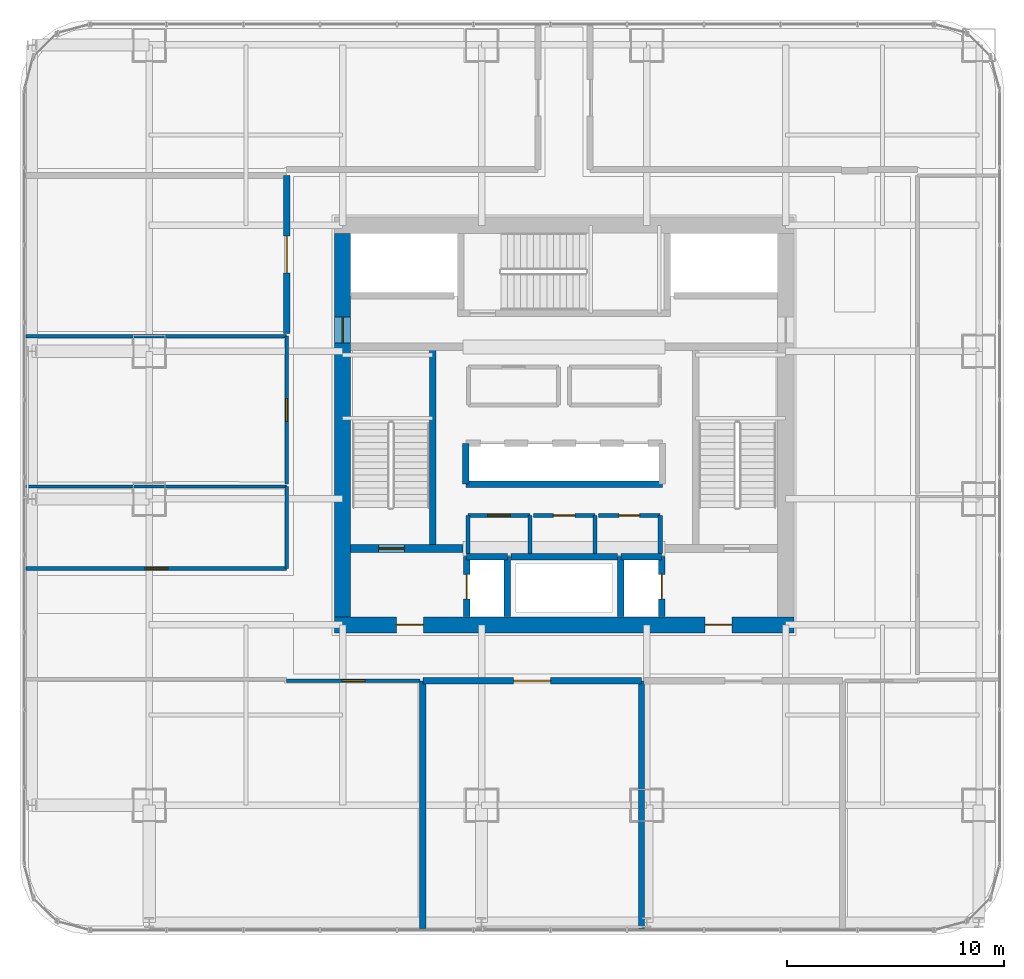
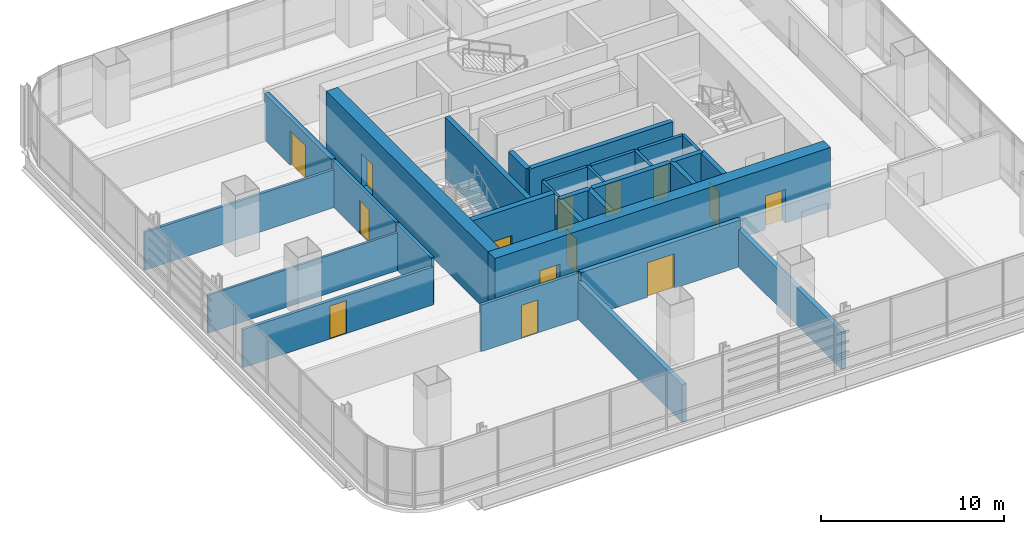
# One storey, part 28 of 36: 30 walls, 14 doors, 14 openings.
"""IFC4 building model written with IfcOpenShell, lengths in metres."""

from ifc_helpers import new_model, si_unit, direction, frame, frame_2d, origin, place, context, subcontext, project, spatial, rectangle, extrude, material, layer, layer_set, type_object, element, fill, save


model = new_model("IFC4")

# Units and contexts
model_context = context("Model", 3, precision=1e-05, world=origin(), true_north=direction((0.0, 1.0)))
body_context = subcontext(model_context, "Body", "Model", "MODEL_VIEW")
ifc_project = project(units=[si_unit("LENGTHUNIT", "METRE"), si_unit("AREAUNIT", "SQUARE_METRE"), si_unit("VOLUMEUNIT", "CUBIC_METRE"), si_unit("PLANEANGLEUNIT", "RADIAN"), si_unit("MASSUNIT", "GRAM", prefix="KILO")], contexts=[model_context])

# Site, building, storey
site_placement = place(None, origin())
site = spatial("IfcSite", under=ifc_project, at=site_placement, CompositionType="ELEMENT")
building_placement = place(site_placement, origin())
building = spatial("IfcBuilding", under=site, at=building_placement, Name="Punatoya Terracotta Tower", CompositionType="ELEMENT")
storey_placement = place(building_placement, frame((0.0, 0.0, 48.449951171875)))
storey = spatial("IfcBuildingStorey", under=building, at=storey_placement, Name="L10", CompositionType="ELEMENT", Elevation=48.449951171875)

# Walls
ifc_material_1 = material(Name="Concrete C40/50", Category="concrete")
ifc_layer_1 = layer(ifc_material_1, 0.280029296875)
ifc_layer_set_1 = layer_set([ifc_layer_1], Name="Concrete C40/50")
wall_type_1 = type_object("IfcWallType", Name="WL-AUD-280", PredefinedType="SOLIDWALL", material=ifc_layer_set_1)
wall_1_placement = place(storey_placement, frame((3.55908203125, -11.77001953125, 0.0), z_axis=(0.0, 0.0, 1.0), x_axis=(0.0, -1.0, 0.0)))
element("IfcWall", 1, at=wall_1_placement, inside=storey, type_object=wall_type_1, Name="L10 Open-Plan Client Dining Salon Partition 16", PredefinedType="SOLIDWALL", context=body_context, shape_type="SweptSolid", body=[
    extrude(rectangle(XDim=11.39990234375, YDim=0.280029296875, at=frame_2d((5.699951171875, 0.0))), origin(), (0.0, 0.0, 1.0), 2.484130859375),
])
wall_2_placement = place(storey_placement, frame((-6.507080078125, -23.169921875, 0.0), z_axis=(0.0, 0.0, 1.0), x_axis=(0.0, 1.0, 0.0)))
element("IfcWall", 2, at=wall_2_placement, inside=storey, type_object=wall_type_1, Name="L10 Open-Plan Client Dining Salon Partition 17", PredefinedType="SOLIDWALL", context=body_context, shape_type="SweptSolid", body=[
    extrude(rectangle(XDim=11.39990234375, YDim=0.280029296875, at=frame_2d((5.699951171875, 0.0))), origin(), (0.0, 0.0, 1.0), 2.524169921875),
])

# Wall, opening, door
wall_3_placement = place(storey_placement, frame((-6.507080078125, -11.77001953125, 0.0), z_axis=(0.0, 0.0, 1.0), x_axis=(1.0, 0.0, 0.0)))
wall_3 = element("IfcWall", 3, at=wall_3_placement, inside=storey, type_object=wall_type_1, Name="L10 Open-Plan Client Dining Salon Partition 18", PredefinedType="SOLIDWALL", context=body_context, shape_type="SweptSolid", body=[
    extrude(rectangle(XDim=10.066162109375, YDim=0.280029296875, at=frame_2d((5.033203125, 0.0))), origin(), (0.0, 0.0, 1.0), 3.10400390625),
])
opening_1_placement = place(wall_3_placement, frame((4.18310546875, 0.0, 0.0)))
opening_1 = element("IfcOpeningElement", 4, at=opening_1_placement, cuts=wall_3, Name="Opening FD-D1", PredefinedType="OPENING", context=body_context, shape_type="SweptSolid", body=[
    extrude(rectangle(XDim=1.699951171875, YDim=2.300048828125, at=frame_2d((0.85009765625, 1.14990234375))), frame((0.0, 0.14990234375, 0.0), z_axis=(0.0, -1.0, 0.0), x_axis=(1.0, 0.0, 0.0)), (0.0, 0.0, 1.0), 0.300048828125),
])
ifc_material_2 = material(Name="Timber Teak Veneer Fire Leaf", Category="wood")
door_type_1 = type_object("IfcDoorType", Name="DR-DIN-1700", OperationType="NOTDEFINED", PredefinedType="DOOR", material=ifc_material_2)
door_1_placement = place(opening_1_placement, origin())
door_1 = element("IfcDoor", 5, at=door_1_placement, inside=storey, type_object=door_type_1, Name="L10 Open-Plan Client Dining Salon Fire Door", OperationType="DOUBLE_DOOR_SINGLE_SWING", OverallHeight=2.300048828125, OverallWidth=1.699951171875, PredefinedType="DOOR", context=body_context, shape_type="SweptSolid", body=[
    extrude(rectangle(XDim=1.699951171875, YDim=2.300048828125, at=frame_2d((0.85009765625, 1.14990234375))), frame((0.0, 0.02490234375, 0.0), z_axis=(0.0, -1.0, 0.0), x_axis=(1.0, 0.0, 0.0)), (0.0, 0.0, 1.0), 0.050048828125),
])
fill(opening_1, door_1)

wall_4_placement = place(storey_placement, frame((-12.77001953125, 11.489990234375, 0.0), z_axis=(0.0, 0.0, 1.0), x_axis=(0.0, -1.0, 0.0)))
wall_4 = element("IfcWall", 6, at=wall_4_placement, inside=storey, type_object=wall_type_1, Name="L10 Terrace Refreshment Lounge Partition 35", PredefinedType="SOLIDWALL", context=body_context, shape_type="SweptSolid", body=[
    extrude(rectangle(XDim=7.27197265625, YDim=0.280029296875, at=frame_2d((3.635986328125, 0.0))), origin(), (0.0, 0.0, 1.0), 3.10400390625),
])
opening_2_placement = place(wall_4_placement, frame((2.785888671875, 0.0, 0.0)))
opening_2 = element("IfcOpeningElement", 7, at=opening_2_placement, cuts=wall_4, Name="Opening FD-D1", PredefinedType="OPENING", context=body_context, shape_type="SweptSolid", body=[
    extrude(rectangle(XDim=1.699951171875, YDim=2.300048828125, at=frame_2d((0.85009765625, 1.14990234375))), frame((0.0, 0.14990234375, 0.0), z_axis=(0.0, -1.0, 0.0), x_axis=(1.0, 0.0, 0.0)), (0.0, 0.0, 1.0), 0.300048828125),
])
door_2_placement = place(opening_2_placement, origin())
door_2 = element("IfcDoor", 8, at=door_2_placement, inside=storey, type_object=door_type_1, Name="L10 Terrace Refreshment Lounge Fire Door", OperationType="DOUBLE_DOOR_SINGLE_SWING", OverallHeight=2.300048828125, OverallWidth=1.699951171875, PredefinedType="DOOR", context=body_context, shape_type="SweptSolid", body=[
    extrude(rectangle(XDim=1.699951171875, YDim=2.300048828125, at=frame_2d((0.85009765625, 1.14990234375))), frame((0.0, 0.02490234375, 0.0), z_axis=(0.0, -1.0, 0.0), x_axis=(1.0, 0.0, 0.0)), (0.0, 0.0, 1.0), 0.050048828125),
])
fill(opening_2, door_2)

# Wall, openings, doors
ifc_material_3 = material(Name="Concrete C60/75", Category="concrete")
ifc_layer_2 = layer(ifc_material_3, 0.75)
ifc_layer_set_2 = layer_set([ifc_layer_2], Name="Concrete C60/75")
wall_type_2 = type_object("IfcWallType", Name="WL-COR-750", PredefinedType="SHEAR", material=ifc_layer_set_2)
wall_5_placement = place(storey_placement, frame((10.574951171875, -9.199951171875, 0.0), z_axis=(0.0, 0.0, 1.0), x_axis=(-1.0, 0.0, 0.0)))
wall_5 = element("IfcWall", 9, at=wall_5_placement, inside=storey, type_object=wall_type_2, Name="L10 Core Shear Wall S", PredefinedType="SHEAR", context=body_context, shape_type="SweptSolid", body=[
    extrude(rectangle(XDim=21.14990234375, YDim=0.75, at=frame_2d((10.574951171875, 0.0))), origin(), (0.0, 0.0, 1.0), 4.050048828125),
])
opening_3_placement = place(wall_5_placement, frame((2.85009765625, 0.0, 0.0)))
opening_3 = element("IfcOpeningElement", 10, at=opening_3_placement, cuts=wall_5, Name="Opening FD-L1", PredefinedType="OPENING", context=body_context, shape_type="SweptSolid", body=[
    extrude(rectangle(XDim=1.25, YDim=2.25, at=frame_2d((0.625, 1.125))), frame((0.0, 0.385009765625, 0.0), z_axis=(0.0, -1.0, 0.0), x_axis=(1.0, 0.0, 0.0)), (0.0, 0.0, 1.0), 0.77001953125),
])
opening_4_placement = place(wall_5_placement, frame((17.050048828125, 0.0, 0.0)))
opening_4 = element("IfcOpeningElement", 11, at=opening_4_placement, cuts=wall_5, Name="Opening FD-L1", PredefinedType="OPENING", context=body_context, shape_type="SweptSolid", body=[
    extrude(rectangle(XDim=1.25, YDim=2.25, at=frame_2d((0.625, 1.125))), frame((0.0, 0.385009765625, 0.0), z_axis=(0.0, -1.0, 0.0), x_axis=(1.0, 0.0, 0.0)), (0.0, 0.0, 1.0), 0.77001953125),
])
ifc_material_4 = material(Name="Galvanised Steel Smokeproof Fire Door", Category="steel")
door_type_2 = type_object("IfcDoorType", Name="DR-FFL-1250", OperationType="NOTDEFINED", PredefinedType="DOOR", material=ifc_material_4)
door_3_placement = place(opening_3_placement, origin())
door_3 = element("IfcDoor", 12, at=door_3_placement, inside=storey, type_object=door_type_2, Name="L10 East Firefighting Lobby Corridor Fire Door", OperationType="SINGLE_SWING_LEFT", OverallHeight=2.25, OverallWidth=1.25, PredefinedType="DOOR", context=body_context, shape_type="SweptSolid", body=[
    extrude(rectangle(XDim=1.25, YDim=2.25, at=frame_2d((0.625, 1.125))), frame((0.0, 0.02490234375, 0.0), z_axis=(0.0, -1.0, 0.0), x_axis=(1.0, 0.0, 0.0)), (0.0, 0.0, 1.0), 0.050048828125),
])
fill(opening_3, door_3)
door_4_placement = place(opening_4_placement, origin())
door_4 = element("IfcDoor", 13, at=door_4_placement, inside=storey, type_object=door_type_2, Name="L10 West Firefighting Lobby Corridor Fire Door", OperationType="SINGLE_SWING_RIGHT", OverallHeight=2.25, OverallWidth=1.25, PredefinedType="DOOR", context=body_context, shape_type="SweptSolid", body=[
    extrude(rectangle(XDim=1.25, YDim=2.25, at=frame_2d((0.625, 1.125))), frame((0.0, 0.02490234375, 0.0), z_axis=(0.0, -1.0, 0.0), x_axis=(1.0, 0.0, 0.0)), (0.0, 0.0, 1.0), 0.050048828125),
])
fill(opening_4, door_4)

# Wall, opening, door
wall_6_placement = place(storey_placement, frame((-10.199951171875, -8.824951171875, 0.0), z_axis=(0.0, 0.0, 1.0), x_axis=(0.0, 1.0, 0.0)))
wall_6 = element("IfcWall", 14, at=wall_6_placement, inside=storey, type_object=wall_type_2, Name="L10 Core Shear Wall W", PredefinedType="SHEAR", context=body_context, shape_type="SweptSolid", body=[
    extrude(rectangle(XDim=17.64990234375, YDim=0.75, at=frame_2d((8.824951171875, 0.0))), origin(), (0.0, 0.0, 1.0), 4.050048828125),
])
opening_5_placement = place(wall_6_placement, frame((12.614990234375, 0.0, 0.0)))
opening_5 = element("IfcOpeningElement", 15, at=opening_5_placement, cuts=wall_6, Name="Opening SD-01", PredefinedType="OPENING", context=body_context, shape_type="SweptSolid", body=[
    extrude(rectangle(XDim=1.179931640625, YDim=2.199951171875, at=frame_2d((0.58984375, 1.10009765625))), frame((0.0, 0.385009765625, 0.0), z_axis=(0.0, -1.0, 0.0), x_axis=(1.0, 0.0, 0.0)), (0.0, 0.0, 1.0), 0.77001953125),
])
ifc_material_5 = material(Name="Galvanised Steel Pressurized Stair Fire Door", Category="steel")
door_type_3 = type_object("IfcDoorType", Name="DR-STR-1180", OperationType="NOTDEFINED", PredefinedType="DOOR", material=ifc_material_5)
door_5_placement = place(opening_5_placement, origin())
door_5 = element("IfcDoor", 16, at=door_5_placement, inside=storey, type_object=door_type_3, Name="L10 Central Lift Lobby West Fire Door", OperationType="SINGLE_SWING_LEFT", OverallHeight=2.199951171875, OverallWidth=1.179931640625, PredefinedType="DOOR", context=body_context, shape_type="SweptSolid", body=[
    extrude(rectangle(XDim=1.179931640625, YDim=2.199951171875, at=frame_2d((0.58984375, 1.10009765625))), frame((0.0, 0.02490234375, 0.0), z_axis=(0.0, -1.0, 0.0), x_axis=(1.0, 0.0, 0.0)), (0.0, 0.0, 1.0), 0.050048828125),
])
fill(opening_5, door_5)

# Wall
ifc_material_6 = material(Name="Gypsum Fireboard + Steel Stud", Category="steel")
ifc_layer_3 = layer(ifc_material_6, 0.179931640625)
ifc_layer_set_3 = layer_set([ifc_layer_3], Name="Gypsum Fireboard + Steel Stud")
wall_type_3 = type_object("IfcWallType", Name="WL-CORR-180", PredefinedType="PARTITIONING", material=ifc_layer_set_3)
wall_7_placement = place(storey_placement, frame((-1.580078125, -5.89990234375, 0.0), z_axis=(0.0, 0.0, 1.0), x_axis=(0.0, 1.0, 0.0)))
element("IfcWall", 17, at=wall_7_placement, inside=storey, type_object=wall_type_3, Name="L10 Core Quiet Wellness Room Partition 01", PredefinedType="PARTITIONING", context=body_context, shape_type="SweptSolid", body=[
    extrude(rectangle(XDim=1.739990234375, YDim=0.179931640625, at=frame_2d((0.8701171875, 0.0))), origin(), (0.0, 0.0, 1.0), 3.81005859375),
])

# Wall, opening, door
wall_8_placement = place(storey_placement, frame((-1.580078125, -4.159912109375, 0.0), z_axis=(0.0, 0.0, 1.0), x_axis=(-1.0, 0.0, 0.0)))
wall_8 = element("IfcWall", 18, at=wall_8_placement, inside=storey, type_object=wall_type_3, Name="L10 Core Quiet Wellness Room Partition 02", PredefinedType="PARTITIONING", context=body_context, shape_type="SweptSolid", body=[
    extrude(rectangle(XDim=2.83984375, YDim=0.179931640625, at=frame_2d((1.419921875, 0.0))), origin(), (0.0, 0.0, 1.0), 3.81005859375),
])
opening_6_placement = place(wall_8_placement, frame((0.89501953125, 0.0, 0.0)))
opening_6 = element("IfcOpeningElement", 19, at=opening_6_placement, cuts=wall_8, Name="Opening OD-01", PredefinedType="OPENING", context=body_context, shape_type="SweptSolid", body=[
    extrude(rectangle(XDim=1.050048828125, YDim=2.199951171875, at=frame_2d((0.52490234375, 1.10009765625))), frame((0.0, 0.099853515625, 0.0), z_axis=(0.0, -1.0, 0.0), x_axis=(1.0, 0.0, 0.0)), (0.0, 0.0, 1.0), 0.199951171875),
])
ifc_material_7 = material(Name="Bengal Teak Solid-Core Leaf")
door_type_4 = type_object("IfcDoorType", Name="DR-OFF-1050", OperationType="NOTDEFINED", PredefinedType="DOOR", material=ifc_material_7)
door_6_placement = place(opening_6_placement, origin())
door_6 = element("IfcDoor", 20, at=door_6_placement, inside=storey, type_object=door_type_4, Name="L10 Quiet Wellness Room Door", OperationType="SINGLE_SWING_LEFT", OverallHeight=2.199951171875, OverallWidth=1.050048828125, PredefinedType="DOOR", context=body_context, shape_type="SweptSolid", body=[
    extrude(rectangle(XDim=1.050048828125, YDim=2.199951171875, at=frame_2d((0.52490234375, 1.10009765625))), frame((0.0, 0.02490234375, 0.0), z_axis=(0.0, -1.0, 0.0), x_axis=(1.0, 0.0, 0.0)), (0.0, 0.0, 1.0), 0.050048828125),
])
fill(opening_6, door_6)

# Wall
wall_9_placement = place(storey_placement, frame((-4.419921875, -4.159912109375, 0.0), z_axis=(0.0, 0.0, 1.0), x_axis=(0.0, -1.0, 0.0)))
element("IfcWall", 21, at=wall_9_placement, inside=storey, type_object=wall_type_3, Name="L10 Core Quiet Wellness Room Partition 03", PredefinedType="PARTITIONING", context=body_context, shape_type="SweptSolid", body=[
    extrude(rectangle(XDim=1.739990234375, YDim=0.179931640625, at=frame_2d((0.8701171875, 0.0))), origin(), (0.0, 0.0, 1.0), 3.81005859375),
])

# Wall, opening, door
wall_10_placement = place(storey_placement, frame((-12.77001953125, -11.77001953125, 0.0), z_axis=(0.0, 0.0, 1.0), x_axis=(1.0, 0.0, 0.0)))
wall_10 = element("IfcWall", 22, at=wall_10_placement, inside=storey, type_object=wall_type_3, Name="L10 Catering Tea Pantry Partition 22", PredefinedType="PARTITIONING", context=body_context, shape_type="SweptSolid", body=[
    extrude(rectangle(XDim=6.14306640625, YDim=0.179931640625, at=frame_2d((3.071533203125, 0.0))), origin(), (0.0, 0.0, 1.0), 3.10400390625),
])
opening_7_placement = place(wall_10_placement, frame((2.54638671875, 0.0, 0.0)))
opening_7 = element("IfcOpeningElement", 23, at=opening_7_placement, cuts=wall_10, Name="Opening OD-01", PredefinedType="OPENING", context=body_context, shape_type="SweptSolid", body=[
    extrude(rectangle(XDim=1.050048828125, YDim=2.199951171875, at=frame_2d((0.52490234375, 1.10009765625))), frame((0.0, 0.099853515625, 0.0), z_axis=(0.0, -1.0, 0.0), x_axis=(1.0, 0.0, 0.0)), (0.0, 0.0, 1.0), 0.199951171875),
])
door_7_placement = place(opening_7_placement, origin())
door_7 = element("IfcDoor", 24, at=door_7_placement, inside=storey, type_object=door_type_4, Name="L10 Catering Tea Pantry Door", OperationType="SINGLE_SWING_RIGHT", OverallHeight=2.199951171875, OverallWidth=1.050048828125, PredefinedType="DOOR", context=body_context, shape_type="SweptSolid", body=[
    extrude(rectangle(XDim=1.050048828125, YDim=2.199951171875, at=frame_2d((0.52490234375, 1.10009765625))), frame((0.0, 0.02490234375, 0.0), z_axis=(0.0, -1.0, 0.0), x_axis=(1.0, 0.0, 0.0)), (0.0, 0.0, 1.0), 0.050048828125),
])
fill(opening_7, door_7)

wall_11_placement = place(storey_placement, frame((-12.77001953125, -6.60009765625, 0.0), z_axis=(0.0, 0.0, 1.0), x_axis=(-1.0, 0.0, 0.0)))
wall_11 = element("IfcWall", 25, at=wall_11_placement, inside=storey, type_object=wall_type_3, Name="L10 Open-Plan Wellness Relaxation Lounge Partition 27", PredefinedType="PARTITIONING", context=body_context, shape_type="SweptSolid", body=[
    extrude(rectangle(XDim=12.0, YDim=0.179931640625, at=frame_2d((6.0, 0.0))), origin(), (0.0, 0.0, 1.0), 2.524169921875),
])
opening_8_placement = place(wall_11_placement, frame((5.47509765625, 0.0, 0.0)))
opening_8 = element("IfcOpeningElement", 26, at=opening_8_placement, cuts=wall_11, Name="Opening OD-01", PredefinedType="OPENING", context=body_context, shape_type="SweptSolid", body=[
    extrude(rectangle(XDim=1.050048828125, YDim=2.199951171875, at=frame_2d((0.52490234375, 1.10009765625))), frame((0.0, 0.099853515625, 0.0), z_axis=(0.0, -1.0, 0.0), x_axis=(1.0, 0.0, 0.0)), (0.0, 0.0, 1.0), 0.199951171875),
])
door_8_placement = place(opening_8_placement, origin())
door_8 = element("IfcDoor", 27, at=door_8_placement, inside=storey, type_object=door_type_4, Name="L10 Open-Plan Wellness Relaxation Lounge Door", OperationType="SINGLE_SWING_LEFT", OverallHeight=2.199951171875, OverallWidth=1.050048828125, PredefinedType="DOOR", context=body_context, shape_type="SweptSolid", body=[
    extrude(rectangle(XDim=1.050048828125, YDim=2.199951171875, at=frame_2d((0.52490234375, 1.10009765625))), frame((0.0, 0.02490234375, 0.0), z_axis=(0.0, -1.0, 0.0), x_axis=(1.0, 0.0, 0.0)), (0.0, 0.0, 1.0), 0.050048828125),
])
fill(opening_8, door_8)

# Wall
wall_12_placement = place(storey_placement, frame((-12.77001953125, -2.83203125, 0.0), z_axis=(0.0, 0.0, 1.0), x_axis=(0.0, -1.0, 0.0)))
element("IfcWall", 28, at=wall_12_placement, inside=storey, type_object=wall_type_3, Name="L10 Open-Plan Wellness Relaxation Lounge Partition 29", PredefinedType="PARTITIONING", context=body_context, shape_type="SweptSolid", body=[
    extrude(rectangle(XDim=3.76806640625, YDim=0.179931640625, at=frame_2d((1.884033203125, 0.0))), origin(), (0.0, 0.0, 1.0), 3.10400390625),
])

# Wall, opening, door
wall_13_placement = place(storey_placement, frame((-12.77001953125, 4.097900390625, 0.0), z_axis=(0.0, 0.0, 1.0), x_axis=(0.0, -1.0, 0.0)))
wall_13 = element("IfcWall", 29, at=wall_13_placement, inside=storey, type_object=wall_type_3, Name="L10 Open-Plan Barista Espresso Pantry Partition 31", PredefinedType="PARTITIONING", context=body_context, shape_type="SweptSolid", body=[
    extrude(rectangle(XDim=6.809814453125, YDim=0.179931640625, at=frame_2d((3.40478515625, 0.0))), origin(), (0.0, 0.0, 1.0), 3.10400390625),
])
opening_9_placement = place(wall_13_placement, frame((2.8798828125, 0.0, 0.0)))
opening_9 = element("IfcOpeningElement", 30, at=opening_9_placement, cuts=wall_13, Name="Opening OD-01", PredefinedType="OPENING", context=body_context, shape_type="SweptSolid", body=[
    extrude(rectangle(XDim=1.050048828125, YDim=2.199951171875, at=frame_2d((0.52490234375, 1.10009765625))), frame((0.0, 0.099853515625, 0.0), z_axis=(0.0, -1.0, 0.0), x_axis=(1.0, 0.0, 0.0)), (0.0, 0.0, 1.0), 0.199951171875),
])
door_9_placement = place(opening_9_placement, origin())
door_9 = element("IfcDoor", 31, at=door_9_placement, inside=storey, type_object=door_type_4, Name="L10 Open-Plan Barista Espresso Pantry Door", OperationType="SINGLE_SWING_RIGHT", OverallHeight=2.199951171875, OverallWidth=1.050048828125, PredefinedType="DOOR", context=body_context, shape_type="SweptSolid", body=[
    extrude(rectangle(XDim=1.050048828125, YDim=2.199951171875, at=frame_2d((0.52490234375, 1.10009765625))), frame((0.0, 0.02490234375, 0.0), z_axis=(0.0, -1.0, 0.0), x_axis=(1.0, 0.0, 0.0)), (0.0, 0.0, 1.0), 0.050048828125),
])
fill(opening_9, door_9)

# Wall
ifc_layer_4 = layer(ifc_material_1, 0.199951171875)
ifc_layer_set_4 = layer_set([ifc_layer_4], Name="Concrete C40/50")
wall_type_4 = type_object("IfcWallType", Name="WL-INT-200", PredefinedType="SOLIDWALL", material=ifc_layer_set_4)
wall_14_placement = place(storey_placement, frame((1.419921875, -5.89990234375, 0.0), z_axis=(0.0, 0.0, 1.0), x_axis=(0.0, 1.0, 0.0)))
element("IfcWall", 32, at=wall_14_placement, inside=storey, type_object=wall_type_4, Name="L10 Accessible Universal Washroom Partition 04", PredefinedType="SOLIDWALL", context=body_context, shape_type="SweptSolid", body=[
    extrude(rectangle(XDim=1.739990234375, YDim=0.199951171875, at=frame_2d((0.8701171875, 0.0))), origin(), (0.0, 0.0, 1.0), 3.81005859375),
])

# Wall, opening, door
wall_15_placement = place(storey_placement, frame((1.419921875, -4.159912109375, 0.0), z_axis=(0.0, 0.0, 1.0), x_axis=(-1.0, 0.0, 0.0)))
wall_15 = element("IfcWall", 33, at=wall_15_placement, inside=storey, type_object=wall_type_4, Name="L10 Accessible Universal Washroom Partition 05", PredefinedType="SOLIDWALL", context=body_context, shape_type="SweptSolid", body=[
    extrude(rectangle(XDim=2.83984375, YDim=0.199951171875, at=frame_2d((1.419921875, 0.0))), origin(), (0.0, 0.0, 1.0), 3.81005859375),
])
opening_10_placement = place(wall_15_placement, frame((0.919921875, 0.0, 0.0)))
opening_10 = element("IfcOpeningElement", 34, at=opening_10_placement, cuts=wall_15, Name="Opening AWD-1", PredefinedType="OPENING", context=body_context, shape_type="SweptSolid", body=[
    extrude(rectangle(XDim=1.0, YDim=2.14990234375, at=frame_2d((0.5, 1.074951171875))), frame((0.0, 0.10986328125, 0.0), z_axis=(0.0, -1.0, 0.0), x_axis=(1.0, 0.0, 0.0)), (0.0, 0.0, 1.0), 0.219970703125),
])
ifc_material_8 = material(Name="Bengal Teak Accessible WC Leaf")
door_type_5 = type_object("IfcDoorType", Name="DR-ACC-1000", OperationType="NOTDEFINED", PredefinedType="DOOR", material=ifc_material_8)
door_10_placement = place(opening_10_placement, origin())
door_10 = element("IfcDoor", 35, at=door_10_placement, inside=storey, type_object=door_type_5, Name="L10 Accessible Universal Washroom Door", OperationType="SINGLE_SWING_RIGHT", OverallHeight=2.14990234375, OverallWidth=1.0, PredefinedType="DOOR", context=body_context, shape_type="SweptSolid", body=[
    extrude(rectangle(XDim=1.0, YDim=2.14990234375, at=frame_2d((0.5, 1.074951171875))), frame((0.0, 0.02490234375, 0.0), z_axis=(0.0, -1.0, 0.0), x_axis=(1.0, 0.0, 0.0)), (0.0, 0.0, 1.0), 0.050048828125),
])
fill(opening_10, door_10)

# Wall
wall_16_placement = place(storey_placement, frame((4.419921875, -5.89990234375, 0.0), z_axis=(0.0, 0.0, 1.0), x_axis=(0.0, 1.0, 0.0)))
element("IfcWall", 36, at=wall_16_placement, inside=storey, type_object=wall_type_4, Name="L10 All-Gender Washroom Partition 06", PredefinedType="SOLIDWALL", context=body_context, shape_type="SweptSolid", body=[
    extrude(rectangle(XDim=1.739990234375, YDim=0.199951171875, at=frame_2d((0.8701171875, 0.0))), origin(), (0.0, 0.0, 1.0), 3.81005859375),
])

# Wall, opening, door
wall_17_placement = place(storey_placement, frame((4.419921875, -4.159912109375, 0.0), z_axis=(0.0, 0.0, 1.0), x_axis=(-1.0, 0.0, 0.0)))
wall_17 = element("IfcWall", 37, at=wall_17_placement, inside=storey, type_object=wall_type_4, Name="L10 All-Gender Washroom Partition 07", PredefinedType="SOLIDWALL", context=body_context, shape_type="SweptSolid", body=[
    extrude(rectangle(XDim=2.83984375, YDim=0.199951171875, at=frame_2d((1.419921875, 0.0))), origin(), (0.0, 0.0, 1.0), 3.81005859375),
])
opening_11_placement = place(wall_17_placement, frame((0.945068359375, 0.0, 0.0)))
opening_11 = element("IfcOpeningElement", 38, at=opening_11_placement, cuts=wall_17, Name="Opening WD-01", PredefinedType="OPENING", context=body_context, shape_type="SweptSolid", body=[
    extrude(rectangle(XDim=0.949951171875, YDim=2.14990234375, at=frame_2d((0.47509765625, 1.074951171875))), frame((0.0, 0.10986328125, 0.0), z_axis=(0.0, -1.0, 0.0), x_axis=(1.0, 0.0, 0.0)), (0.0, 0.0, 1.0), 0.219970703125),
])
ifc_material_9 = material(Name="Moisture-Resistant Laminate Timber Leaf", Category="wood")
door_type_6 = type_object("IfcDoorType", Name="DR-WC-950", OperationType="NOTDEFINED", PredefinedType="DOOR", material=ifc_material_9)
door_11_placement = place(opening_11_placement, origin())
door_11 = element("IfcDoor", 39, at=door_11_placement, inside=storey, type_object=door_type_6, Name="L10 All-Gender Washroom Door", OperationType="SINGLE_SWING_LEFT", OverallHeight=2.14990234375, OverallWidth=0.949951171875, PredefinedType="DOOR", context=body_context, shape_type="SweptSolid", body=[
    extrude(rectangle(XDim=0.949951171875, YDim=2.14990234375, at=frame_2d((0.47509765625, 1.074951171875))), frame((0.0, 0.02490234375, 0.0), z_axis=(0.0, -1.0, 0.0), x_axis=(1.0, 0.0, 0.0)), (0.0, 0.0, 1.0), 0.050048828125),
])
fill(opening_11, door_11)

# Walls
ifc_material_10 = material(Name="Acoustic Gypsum + Steel Stud", Category="steel")
ifc_layer_5 = layer(ifc_material_10, 0.139892578125)
ifc_layer_set_5 = layer_set([ifc_layer_5], Name="Acoustic Gypsum + Steel Stud")
wall_type_5 = type_object("IfcWallType", Name="WL-OFF-140", PredefinedType="PARTITIONING", material=ifc_layer_set_5)
wall_18_placement = place(storey_placement, frame((-24.77001953125, -2.83203125, 0.0), z_axis=(0.0, 0.0, 1.0), x_axis=(1.0, 0.0, 0.0)))
element("IfcWall", 40, at=wall_18_placement, inside=storey, type_object=wall_type_5, Name="L10 Open-Plan Wellness Relaxation Lounge Partition 28", PredefinedType="PARTITIONING", context=body_context, shape_type="SweptSolid", body=[
    extrude(rectangle(XDim=12.0, YDim=0.139892578125, at=frame_2d((6.0, 0.0))), origin(), (0.0, 0.0, 1.0), 2.524169921875),
])
ifc_layer_6 = layer(ifc_material_1, 0.300048828125)
ifc_layer_set_6 = layer_set([ifc_layer_6], Name="Concrete C40/50")
wall_type_6 = type_object("IfcWallType", Name="WL-SHF-300", PredefinedType="SOLIDWALL", material=ifc_layer_set_6)
wall_19_placement = place(storey_placement, frame((-6.050048828125, -5.5, 0.0), z_axis=(0.0, 0.0, 1.0), x_axis=(0.0, 1.0, 0.0)))
element("IfcWall", 41, at=wall_19_placement, inside=storey, type_object=wall_type_6, Name="L10 Structural Stair Shaft Wall SW-ST1-E", PredefinedType="SOLIDWALL", context=body_context, shape_type="SweptSolid", body=[
    extrude(rectangle(XDim=8.949951171875, YDim=0.300048828125, at=frame_2d((4.47509765625, 0.0))), origin(), (0.0, 0.0, 1.0), 4.050048828125),
])

# Wall, opening, door
wall_20_placement = place(storey_placement, frame((-4.489990234375, -8.820068359375, 0.0), z_axis=(0.0, 0.0, 1.0), x_axis=(0.0, 1.0, 0.0)))
wall_20 = element("IfcWall", 42, at=wall_20_placement, inside=storey, type_object=wall_type_6, Name="L10 FFL-1 Front Hoistway Wall", PredefinedType="SOLIDWALL", context=body_context, shape_type="SweptSolid", body=[
    extrude(rectangle(XDim=2.77001953125, YDim=0.300048828125, at=frame_2d((1.385009765625, 0.0))), origin(), (0.0, 0.0, 1.0), 3.81005859375),
])
opening_12_placement = place(wall_20_placement, frame((0.824951171875, 0.0, 0.0)))
opening_12 = element("IfcOpeningElement", 43, at=opening_12_placement, cuts=wall_20, Name="Opening LD-02", PredefinedType="OPENING", context=body_context, shape_type="SweptSolid", body=[
    extrude(rectangle(XDim=1.1201171875, YDim=2.25, at=frame_2d((0.56005859375, 1.125))), frame((0.0, 0.159912109375, 0.0), z_axis=(0.0, -1.0, 0.0), x_axis=(1.0, 0.0, 0.0)), (0.0, 0.0, 1.0), 0.320068359375),
])
ifc_material_11 = material(Name="Stainless Steel Lift Landing Door", Category="steel")
door_type_7 = type_object("IfcDoorType", Name="DR-LND-1120", OperationType="NOTDEFINED", PredefinedType="DOOR", material=ifc_material_11)
door_12_placement = place(opening_12_placement, origin())
door_12 = element("IfcDoor", 44, at=door_12_placement, inside=storey, type_object=door_type_7, Name="L10 Firefighting Lift FFL-1 Sliding Landing Door", OperationType="SLIDING_TO_LEFT", OverallHeight=2.25, OverallWidth=1.1201171875, PredefinedType="DOOR", context=body_context, shape_type="SweptSolid", body=[
    extrude(rectangle(XDim=1.1201171875, YDim=2.25, at=frame_2d((0.56005859375, 1.125))), frame((0.0, 0.02490234375, 0.0), z_axis=(0.0, -1.0, 0.0), x_axis=(1.0, 0.0, 0.0)), (0.0, 0.0, 1.0), 0.050048828125),
])
fill(opening_12, door_12)

# Walls
wall_21_placement = place(storey_placement, frame((-2.610107421875, -8.820068359375, 0.0), z_axis=(0.0, 0.0, 1.0), x_axis=(0.0, 1.0, 0.0)))
element("IfcWall", 45, at=wall_21_placement, inside=storey, type_object=wall_type_6, Name="L10 FFL-1 Rear Hoistway Wall", PredefinedType="SOLIDWALL", context=body_context, shape_type="SweptSolid", body=[
    extrude(rectangle(XDim=2.77001953125, YDim=0.300048828125, at=frame_2d((1.385009765625, 0.0))), origin(), (0.0, 0.0, 1.0), 3.81005859375),
])
wall_22_placement = place(storey_placement, frame((-4.489990234375, -6.050048828125, 0.0), z_axis=(0.0, 0.0, 1.0), x_axis=(1.0, 0.0, 0.0)))
element("IfcWall", 46, at=wall_22_placement, inside=storey, type_object=wall_type_6, Name="L10 FFL-1 North Hoistway Wall", PredefinedType="SOLIDWALL", context=body_context, shape_type="SweptSolid", body=[
    extrude(rectangle(XDim=1.8798828125, YDim=0.300048828125, at=frame_2d((0.93994140625, 0.0))), origin(), (0.0, 0.0, 1.0), 3.81005859375),
])

# Wall, opening, door
wall_23_placement = place(storey_placement, frame((4.489990234375, -8.820068359375, 0.0), z_axis=(0.0, 0.0, 1.0), x_axis=(0.0, 1.0, 0.0)))
wall_23 = element("IfcWall", 47, at=wall_23_placement, inside=storey, type_object=wall_type_6, Name="L10 FFL-2 Front Hoistway Wall", PredefinedType="SOLIDWALL", context=body_context, shape_type="SweptSolid", body=[
    extrude(rectangle(XDim=2.77001953125, YDim=0.300048828125, at=frame_2d((1.385009765625, 0.0))), origin(), (0.0, 0.0, 1.0), 3.81005859375),
])
opening_13_placement = place(wall_23_placement, frame((0.824951171875, 0.0, 0.0)))
opening_13 = element("IfcOpeningElement", 48, at=opening_13_placement, cuts=wall_23, Name="Opening LD-02", PredefinedType="OPENING", context=body_context, shape_type="SweptSolid", body=[
    extrude(rectangle(XDim=1.1201171875, YDim=2.25, at=frame_2d((0.56005859375, 1.125))), frame((0.0, 0.159912109375, 0.0), z_axis=(0.0, -1.0, 0.0), x_axis=(1.0, 0.0, 0.0)), (0.0, 0.0, 1.0), 0.320068359375),
])
door_13_placement = place(opening_13_placement, origin())
door_13 = element("IfcDoor", 49, at=door_13_placement, inside=storey, type_object=door_type_7, Name="L10 Firefighting Lift FFL-2 Sliding Landing Door", OperationType="SLIDING_TO_RIGHT", OverallHeight=2.25, OverallWidth=1.1201171875, PredefinedType="DOOR", context=body_context, shape_type="SweptSolid", body=[
    extrude(rectangle(XDim=1.1201171875, YDim=2.25, at=frame_2d((0.56005859375, 1.125))), frame((0.0, 0.02490234375, 0.0), z_axis=(0.0, -1.0, 0.0), x_axis=(1.0, 0.0, 0.0)), (0.0, 0.0, 1.0), 0.050048828125),
])
fill(opening_13, door_13)

# Walls
wall_24_placement = place(storey_placement, frame((2.610107421875, -8.820068359375, 0.0), z_axis=(0.0, 0.0, 1.0), x_axis=(0.0, 1.0, 0.0)))
element("IfcWall", 50, at=wall_24_placement, inside=storey, type_object=wall_type_6, Name="L10 FFL-2 Rear Hoistway Wall", PredefinedType="SOLIDWALL", context=body_context, shape_type="SweptSolid", body=[
    extrude(rectangle(XDim=2.77001953125, YDim=0.300048828125, at=frame_2d((1.385009765625, 0.0))), origin(), (0.0, 0.0, 1.0), 3.81005859375),
])
wall_25_placement = place(storey_placement, frame((2.610107421875, -6.050048828125, 0.0), z_axis=(0.0, 0.0, 1.0), x_axis=(1.0, 0.0, 0.0)))
element("IfcWall", 51, at=wall_25_placement, inside=storey, type_object=wall_type_6, Name="L10 FFL-2 North Hoistway Wall", PredefinedType="SOLIDWALL", context=body_context, shape_type="SweptSolid", body=[
    extrude(rectangle(XDim=1.8798828125, YDim=0.300048828125, at=frame_2d((0.93994140625, 0.0))), origin(), (0.0, 0.0, 1.0), 3.81005859375),
])
wall_26_placement = place(storey_placement, frame((-4.52001953125, -2.719970703125, 0.0), z_axis=(0.0, 0.0, 1.0), x_axis=(1.0, 0.0, 0.0)))
element("IfcWall", 52, at=wall_26_placement, inside=storey, type_object=wall_type_6, Name="L10 South Lift Bank Rear Shaft Wall", PredefinedType="SOLIDWALL", context=body_context, shape_type="SweptSolid", body=[
    extrude(rectangle(XDim=9.0400390625, YDim=0.300048828125, at=frame_2d((4.52001953125, 0.0))), origin(), (0.0, 0.0, 1.0), 3.81005859375),
])
wall_27_placement = place(storey_placement, frame((-4.52001953125, -2.719970703125, 0.0), z_axis=(0.0, 0.0, 1.0), x_axis=(0.0, 1.0, 0.0)))
element("IfcWall", 53, at=wall_27_placement, inside=storey, type_object=wall_type_6, Name="L10 South Lift Bank West End Wall", PredefinedType="SOLIDWALL", context=body_context, shape_type="SweptSolid", body=[
    extrude(rectangle(XDim=1.8798828125, YDim=0.300048828125, at=frame_2d((0.93994140625, 0.0))), origin(), (0.0, 0.0, 1.0), 3.81005859375),
])
wall_28_placement = place(storey_placement, frame((-2.449951171875, -6.050048828125, 0.0), z_axis=(0.0, 0.0, 1.0), x_axis=(1.0, 0.0, 0.0)))
element("IfcWall", 54, at=wall_28_placement, inside=storey, type_object=wall_type_6, Name="L10 Observation Shuttle Rear Hoistway Wall", PredefinedType="SOLIDWALL", context=body_context, shape_type="SweptSolid", body=[
    extrude(rectangle(XDim=4.89990234375, YDim=0.300048828125, at=frame_2d((2.449951171875, 0.0))), origin(), (0.0, 0.0, 1.0), 3.81005859375),
])

# Wall, opening, door
ifc_material_12 = material(Name="Concrete C50/60", Category="concrete")
ifc_layer_7 = layer(ifc_material_12, 0.35009765625)
ifc_layer_set_7 = layer_set([ifc_layer_7], Name="Concrete C50/60")
wall_type_7 = type_object("IfcWallType", Name="WL-SHF-350", PredefinedType="SOLIDWALL", material=ifc_layer_set_7)
wall_29_placement = place(storey_placement, frame((-9.824951171875, -5.679931640625, 0.0), z_axis=(0.0, 0.0, 1.0), x_axis=(1.0, 0.0, 0.0)))
wall_29 = element("IfcWall", 55, at=wall_29_placement, inside=storey, type_object=wall_type_7, Name="L10 Core Web Wall CSW-L", PredefinedType="SOLIDWALL", context=body_context, shape_type="SweptSolid", body=[
    extrude(rectangle(XDim=5.175048828125, YDim=0.35009765625, at=frame_2d((2.58740234375, 0.0))), origin(), (0.0, 0.0, 1.0), 4.050048828125),
])
opening_14_placement = place(wall_29_placement, frame((1.284912109375, 0.0, 0.0)))
opening_14 = element("IfcOpeningElement", 56, at=opening_14_placement, cuts=wall_29, Name="Opening SD-01", PredefinedType="OPENING", context=body_context, shape_type="SweptSolid", body=[
    extrude(rectangle(XDim=1.179931640625, YDim=2.199951171875, at=frame_2d((0.58984375, 1.10009765625))), frame((0.0, 0.18505859375, 0.0), z_axis=(0.0, -1.0, 0.0), x_axis=(1.0, 0.0, 0.0)), (0.0, 0.0, 1.0), 0.3701171875),
])
door_14_placement = place(opening_14_placement, origin())
door_14 = element("IfcDoor", 57, at=door_14_placement, inside=storey, type_object=door_type_3, Name="L10 Stair ST-1 Smokeproof Lobby Fire Door", OperationType="SINGLE_SWING_LEFT", OverallHeight=2.199951171875, OverallWidth=1.179931640625, PredefinedType="DOOR", context=body_context, shape_type="SweptSolid", body=[
    extrude(rectangle(XDim=1.179931640625, YDim=2.199951171875, at=frame_2d((0.58984375, 1.10009765625))), frame((0.0, 0.02490234375, 0.0), z_axis=(0.0, -1.0, 0.0), x_axis=(1.0, 0.0, 0.0)), (0.0, 0.0, 1.0), 0.050048828125),
])
fill(opening_14, door_14)

# Wall
ifc_material_13 = material(Name="Masonry Blockwork + Ceramic Tile", Category="masonry")
ifc_layer_8 = layer(ifc_material_13, 0.159912109375)
ifc_layer_set_8 = layer_set([ifc_layer_8], Name="Masonry Blockwork + Ceramic Tile")
wall_type_8 = type_object("IfcWallType", Name="WL-WET-160", PredefinedType="PARTITIONING", material=ifc_layer_set_8)
wall_30_placement = place(storey_placement, frame((-24.77001953125, 4.097900390625, 0.0), z_axis=(0.0, 0.0, 1.0), x_axis=(1.0, 0.0, 0.0)))
element("IfcWall", 58, at=wall_30_placement, inside=storey, type_object=wall_type_8, Name="L10 Open-Plan Barista Espresso Pantry Partition 30", PredefinedType="PARTITIONING", context=body_context, shape_type="SweptSolid", body=[
    extrude(rectangle(XDim=12.0, YDim=0.159912109375, at=frame_2d((6.0, 0.0))), origin(), (0.0, 0.0, 1.0), 2.524169921875),
])

save(model, "model.ifc")
